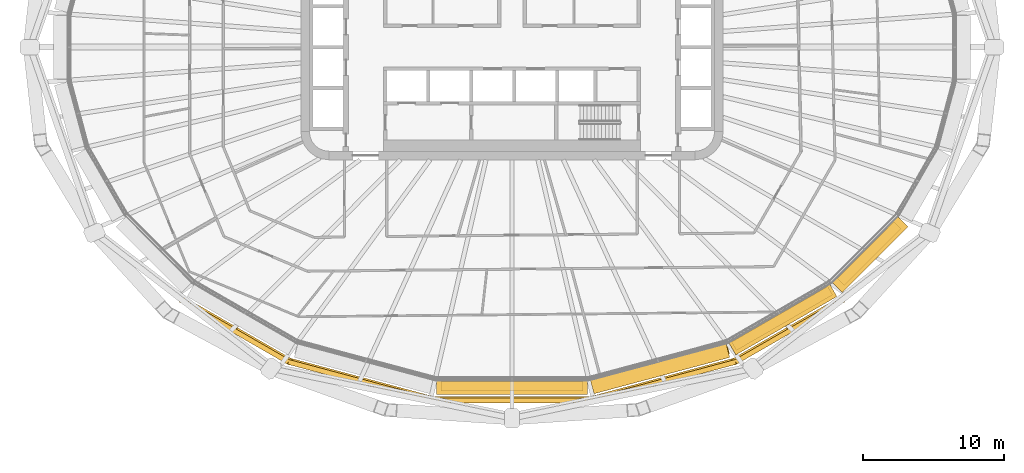
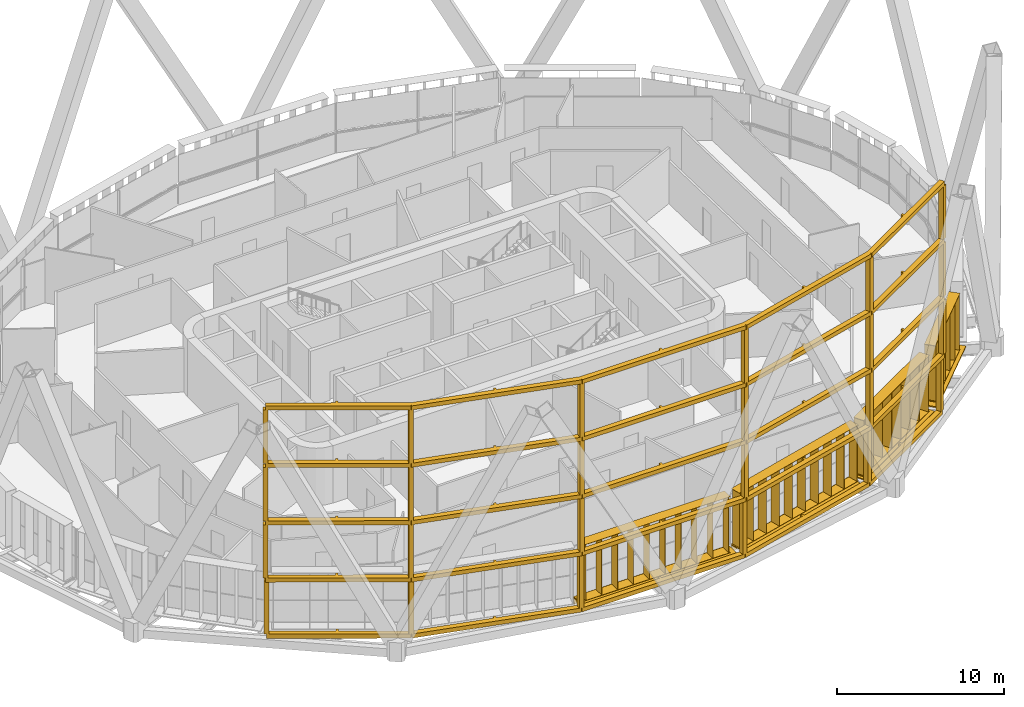
# One storey, part 22 of 25: 9 shading devices.
"""IFC4 building model written with IfcOpenShell, lengths in metres."""

from ifc_helpers import new_model, si_unit, direction, frame, origin, origin_2d, place, context, subcontext, project, spatial, polyline, rectangle, outline, extrude, material, type_object, element, save


model = new_model("IFC4")

# Units and contexts
model_context = context("Model", 3, precision=1e-05, world=origin(), true_north=direction((0.0, 1.0)))
body_context = subcontext(model_context, "Body", "Model", "MODEL_VIEW")
ifc_project = project(units=[si_unit("LENGTHUNIT", "METRE"), si_unit("AREAUNIT", "SQUARE_METRE"), si_unit("VOLUMEUNIT", "CUBIC_METRE"), si_unit("PLANEANGLEUNIT", "RADIAN"), si_unit("MASSUNIT", "GRAM", prefix="KILO")], contexts=[model_context])

# Site, building, storey
site_placement = place(None, origin())
site = spatial("IfcSite", under=ifc_project, at=site_placement, CompositionType="ELEMENT")
building_placement = place(site_placement, origin())
building = spatial("IfcBuilding", under=site, at=building_placement, Name="Sahrelin Media Tower", CompositionType="ELEMENT")
storey_placement = place(building_placement, frame((0.0, 0.0, 79.800048828125)))
storey = spatial("IfcBuildingStorey", under=building, at=storey_placement, Name="L14", CompositionType="ELEMENT", Elevation=79.800048828125)

# Shading devices
ifc_material_1 = material(Name="Dark bronze anodised aluminium 6063-T6", Category="aluminium")
shading_device_type_1 = type_object("IfcShadingDeviceType", Name="Deep frame", PredefinedType="USERDEFINED", material=ifc_material_1)
shading_device_1_placement = place(storey_placement, frame((-22.65869140625, -16.78173828125, 0.0), z_axis=(0.0, 0.0, 1.0), x_axis=(-0.866019052629, 0.500011000363, 0.0)))
element("IfcShadingDevice", 1, at=shading_device_1_placement, inside=storey, type_object=shading_device_type_1, Name="L14:FRAME:F1-6", ObjectType="FRAME", PredefinedType="USERDEFINED", context=body_context, shape_type="SweptSolid", body=[
    extrude(rectangle(XDim=0.300048828125, YDim=0.35009765625, at=origin_2d()), frame((0.0, 1.324951171875, 0.14990234375), z_axis=(0.0, 0.0, 1.0), x_axis=(-1.0, 0.0, 0.0)), (0.0, 0.0, 1.0), 3.900146484375),
    extrude(rectangle(XDim=0.300048828125, YDim=0.35009765625, at=origin_2d()), frame((-8.666748046875, 1.313720703125, 0.14990234375), z_axis=(0.0, 0.0, 1.0), x_axis=(-0.991434606813, -0.130604059715, 0.0)), (0.0, 0.0, 1.0), 3.900146484375),
    extrude(rectangle(XDim=0.300048828125, YDim=0.35009765625, at=origin_2d()), frame((-18.836669921875, -1.411376953125, 0.14990234375), z_axis=(0.0, 0.0, 1.0), x_axis=(-0.923912256654, -0.382604419741, 0.0)), (0.0, 0.0, 1.0), 3.900146484375),
    extrude(rectangle(XDim=0.300048828125, YDim=0.35009765625, at=origin_2d()), frame((-28.605712890625, -7.051513671875, 0.14990234375), z_axis=(0.0, 0.0, 1.0), x_axis=(-0.793362902596, -0.608748966968, 0.0)), (0.0, 0.0, 1.0), 3.900146484375),
    extrude(rectangle(XDim=0.300048828125, YDim=0.35009765625, at=origin_2d()), frame((-36.050537109375, -14.49609375, 0.14990234375), z_axis=(0.0, 0.0, 1.0), x_axis=(-0.608700502051, -0.793400087474, 0.0)), (0.0, 0.0, 1.0), 3.900146484375),
    extrude(rectangle(XDim=0.300048828125, YDim=0.35009765625, at=origin_2d()), frame((-40.393798828125, -21.99609375, 0.14990234375), z_axis=(0.0, 0.0, 1.0), x_axis=(-0.500010580459, -0.866019295067, 0.0)), (0.0, 0.0, 1.0), 3.900146484375),
    extrude(outline(polyline([(-28.693115234375, -6.89990234375), (-28.605712890625, -7.051513671875), (-28.7294921875, -6.927490234375), (-36.17431640625, -14.37255859375), (-36.050537109375, -14.49609375), (-36.201904296875, -14.408447265625), (-40.545166015625, -21.908447265625), (-40.2421875, -22.083984375), (-38.151611328125, -18.473388671875), (-38.000244140625, -18.560791015625), (-37.92529296875, -18.430908203125), (-38.076416015625, -18.343505859375), (-35.910400390625, -14.603759765625), (-32.25732421875, -10.95068359375), (-32.13818359375, -11.06982421875), (-32.031982421875, -10.9638671875), (-32.1513671875, -10.844482421875), (-28.498291015625, -7.19140625), (-23.698486328125, -4.42041015625), (-23.6142578125, -4.56640625), (-23.484375, -4.491455078125), (-23.568603515625, -4.345458984375), (-18.76904296875, -1.57421875), (-13.77880859375, -0.2373046875), (-13.735107421875, -0.400146484375), (-13.59033203125, -0.361328125), (-13.634033203125, -0.198486328125), (-8.6435546875, 1.138671875), (-4.322021484375, 1.144287109375), (-4.322021484375, 0.969970703125), (-4.171875, 0.969970703125), (-4.171875, 1.14453125), (0.000244140625, 1.14990234375), (-0.000244140625, 1.5), (-8.6669921875, 1.48876953125), (-8.666748046875, 1.313720703125), (-8.712158203125, 1.482666015625), (-18.8818359375, -1.2421875), (-18.836669921875, -1.411376953125), (-18.924072265625, -1.259765625), (-28.693115234375, -6.89990234375)])), frame((0.0, 0.0, -0.14990234375)), (0.0, 0.0, 1.0), 0.2998046875),
    extrude(rectangle(XDim=0.300048828125, YDim=0.35009765625, at=origin_2d()), frame((0.0537109375, 1.457275390625, 4.35009765625), z_axis=(0.0, 0.0, 1.0), x_axis=(-1.0, 0.0, 0.0)), (0.0, 0.0, 1.0), 3.89990234375),
    extrude(rectangle(XDim=0.300048828125, YDim=0.35009765625, at=origin_2d()), frame((-8.656005859375, 1.446044921875, 4.35009765625), z_axis=(0.0, 0.0, 1.0), x_axis=(-0.991447594891, -0.130505427419, 0.0)), (0.0, 0.0, 1.0), 3.89990234375),
    extrude(rectangle(XDim=0.300048828125, YDim=0.35009765625, at=origin_2d()), frame((-18.87451171875, -1.2919921875, 4.35009765625), z_axis=(0.0, 0.0, 1.0), x_axis=(-0.923876860854, -0.382689882252, 0.0)), (0.0, 0.0, 1.0), 3.89990234375),
    extrude(rectangle(XDim=0.300048828125, YDim=0.35009765625, at=origin_2d()), frame((-28.68994140625, -6.958984375, 4.35009765625), z_axis=(0.0, 0.0, 1.0), x_axis=(-0.793362902596, -0.608748966968, 0.0)), (0.0, 0.0, 1.0), 3.89990234375),
    extrude(rectangle(XDim=0.300048828125, YDim=0.35009765625, at=origin_2d()), frame((-36.17041015625, -14.439453125, 4.35009765625), z_axis=(0.0, 0.0, 1.0), x_axis=(-0.608748966968, -0.793362902596, 0.0)), (0.0, 0.0, 1.0), 3.89990234375),
    extrude(rectangle(XDim=0.300048828125, YDim=0.35009765625, at=origin_2d()), frame((-40.53515625, -21.9765625, 4.35009765625), z_axis=(0.0, 0.0, 1.0), x_axis=(-0.499968258175, -0.86604372916, 0.0)), (0.0, 0.0, 1.0), 3.89990234375),
    extrude(outline(polyline([(-28.777587890625, -6.807373046875), (-28.68994140625, -6.958984375), (-28.813720703125, -6.835205078125), (-36.294189453125, -14.315673828125), (-36.17041015625, -14.439453125), (-36.322021484375, -14.351806640625), (-40.6865234375, -21.888916015625), (-40.3837890625, -22.064208984375), (-38.2822265625, -18.435302734375), (-38.131103515625, -18.5224609375), (-38.055908203125, -18.392578125), (-38.20703125, -18.305419921875), (-36.030517578125, -14.546875), (-32.359619140625, -10.8759765625), (-32.240234375, -10.9951171875), (-32.13427734375, -10.88916015625), (-32.25341796875, -10.77001953125), (-28.58251953125, -7.09912109375), (-23.759765625, -4.314697265625), (-23.67529296875, -4.460693359375), (-23.54541015625, -4.385498046875), (-23.6298828125, -4.239501953125), (-18.806884765625, -1.455078125), (-13.79248046875, -0.111572265625), (-13.748779296875, -0.2744140625), (-13.60400390625, -0.235595703125), (-13.6474609375, -0.07275390625), (-8.6328125, 1.27099609375), (-4.289794921875, 1.276611328125), (-4.289794921875, 1.102294921875), (-4.1396484375, 1.102294921875), (-4.1396484375, 1.27685546875), (0.053955078125, 1.2822265625), (0.053466796875, 1.63232421875), (-8.65625, 1.62109375), (-8.656005859375, 1.446044921875), (-8.701416015625, 1.614990234375), (-18.919921875, -1.123046875), (-18.87451171875, -1.2919921875), (-18.9619140625, -1.140380859375), (-28.777587890625, -6.807373046875)])), frame((0.0, 0.0, 4.050048828125)), (0.0, 0.0, 1.0), 0.300048828125),
    extrude(rectangle(XDim=0.300048828125, YDim=0.35009765625, at=origin_2d()), frame((0.0537109375, 1.457275390625, 8.550048828125), z_axis=(0.0, 0.0, 1.0), x_axis=(-1.0, 0.0, 0.0)), (0.0, 0.0, 1.0), 3.89990234375),
    extrude(rectangle(XDim=0.300048828125, YDim=0.35009765625, at=origin_2d()), frame((-8.656005859375, 1.446044921875, 8.550048828125), z_axis=(0.0, 0.0, 1.0), x_axis=(-0.991447594891, -0.130505427419, 0.0)), (0.0, 0.0, 1.0), 3.89990234375),
    extrude(rectangle(XDim=0.300048828125, YDim=0.35009765625, at=origin_2d()), frame((-18.87451171875, -1.2919921875, 8.550048828125), z_axis=(0.0, 0.0, 1.0), x_axis=(-0.923876860854, -0.382689882252, 0.0)), (0.0, 0.0, 1.0), 3.89990234375),
    extrude(rectangle(XDim=0.300048828125, YDim=0.35009765625, at=origin_2d()), frame((-28.68994140625, -6.958984375, 8.550048828125), z_axis=(0.0, 0.0, 1.0), x_axis=(-0.793362902596, -0.608748966968, 0.0)), (0.0, 0.0, 1.0), 3.89990234375),
    extrude(rectangle(XDim=0.300048828125, YDim=0.35009765625, at=origin_2d()), frame((-36.17041015625, -14.439453125, 8.550048828125), z_axis=(0.0, 0.0, 1.0), x_axis=(-0.608748966968, -0.793362902596, 0.0)), (0.0, 0.0, 1.0), 3.89990234375),
    extrude(rectangle(XDim=0.300048828125, YDim=0.35009765625, at=origin_2d()), frame((-40.53515625, -21.9765625, 8.550048828125), z_axis=(0.0, 0.0, 1.0), x_axis=(-0.499968258175, -0.86604372916, 0.0)), (0.0, 0.0, 1.0), 3.89990234375),
    extrude(outline(polyline([(-28.777587890625, -6.807373046875), (-28.68994140625, -6.958984375), (-28.813720703125, -6.835205078125), (-36.294189453125, -14.315673828125), (-36.17041015625, -14.439453125), (-36.322021484375, -14.351806640625), (-40.6865234375, -21.888916015625), (-40.3837890625, -22.064208984375), (-38.2822265625, -18.435302734375), (-38.131103515625, -18.5224609375), (-38.055908203125, -18.392578125), (-38.20703125, -18.305419921875), (-36.030517578125, -14.546875), (-32.359619140625, -10.8759765625), (-32.240234375, -10.9951171875), (-32.13427734375, -10.88916015625), (-32.25341796875, -10.77001953125), (-28.58251953125, -7.09912109375), (-23.759765625, -4.314697265625), (-23.67529296875, -4.460693359375), (-23.54541015625, -4.385498046875), (-23.6298828125, -4.239501953125), (-18.806884765625, -1.455078125), (-13.79248046875, -0.111572265625), (-13.748779296875, -0.2744140625), (-13.60400390625, -0.235595703125), (-13.6474609375, -0.07275390625), (-8.6328125, 1.27099609375), (-4.289794921875, 1.276611328125), (-4.289794921875, 1.102294921875), (-4.1396484375, 1.102294921875), (-4.1396484375, 1.27685546875), (0.053955078125, 1.2822265625), (0.053466796875, 1.63232421875), (-8.65625, 1.62109375), (-8.656005859375, 1.446044921875), (-8.701416015625, 1.614990234375), (-18.919921875, -1.123046875), (-18.87451171875, -1.2919921875), (-18.9619140625, -1.140380859375), (-28.777587890625, -6.807373046875)])), frame((0.0, 0.0, 8.25)), (0.0, 0.0, 1.0), 0.300048828125),
    extrude(rectangle(XDim=0.300048828125, YDim=0.35009765625, at=origin_2d()), frame((0.0537109375, 1.457275390625, 12.75), z_axis=(0.0, 0.0, 1.0), x_axis=(-1.0, 0.0, 0.0)), (0.0, 0.0, 1.0), 3.89990234375),
    extrude(rectangle(XDim=0.300048828125, YDim=0.35009765625, at=origin_2d()), frame((-8.656005859375, 1.446044921875, 12.75), z_axis=(0.0, 0.0, 1.0), x_axis=(-0.991447594891, -0.130505427419, 0.0)), (0.0, 0.0, 1.0), 3.89990234375),
    extrude(rectangle(XDim=0.300048828125, YDim=0.35009765625, at=origin_2d()), frame((-18.87451171875, -1.2919921875, 12.75), z_axis=(0.0, 0.0, 1.0), x_axis=(-0.923876860854, -0.382689882252, 0.0)), (0.0, 0.0, 1.0), 3.89990234375),
    extrude(rectangle(XDim=0.300048828125, YDim=0.35009765625, at=origin_2d()), frame((-28.68994140625, -6.958984375, 12.75), z_axis=(0.0, 0.0, 1.0), x_axis=(-0.793362902596, -0.608748966968, 0.0)), (0.0, 0.0, 1.0), 3.89990234375),
    extrude(rectangle(XDim=0.300048828125, YDim=0.35009765625, at=origin_2d()), frame((-36.17041015625, -14.439453125, 12.75), z_axis=(0.0, 0.0, 1.0), x_axis=(-0.608748966968, -0.793362902596, 0.0)), (0.0, 0.0, 1.0), 3.89990234375),
    extrude(rectangle(XDim=0.300048828125, YDim=0.35009765625, at=origin_2d()), frame((-40.53515625, -21.9765625, 12.75), z_axis=(0.0, 0.0, 1.0), x_axis=(-0.499968258175, -0.86604372916, 0.0)), (0.0, 0.0, 1.0), 3.89990234375),
    extrude(outline(polyline([(-28.777587890625, -6.807373046875), (-28.68994140625, -6.958984375), (-28.813720703125, -6.835205078125), (-36.294189453125, -14.315673828125), (-36.17041015625, -14.439453125), (-36.322021484375, -14.351806640625), (-40.6865234375, -21.888916015625), (-40.3837890625, -22.064208984375), (-38.2822265625, -18.435302734375), (-38.131103515625, -18.5224609375), (-38.055908203125, -18.392578125), (-38.20703125, -18.305419921875), (-36.030517578125, -14.546875), (-32.359619140625, -10.8759765625), (-32.240234375, -10.9951171875), (-32.13427734375, -10.88916015625), (-32.25341796875, -10.77001953125), (-28.58251953125, -7.09912109375), (-23.759765625, -4.314697265625), (-23.67529296875, -4.460693359375), (-23.54541015625, -4.385498046875), (-23.6298828125, -4.239501953125), (-18.806884765625, -1.455078125), (-13.79248046875, -0.111572265625), (-13.748779296875, -0.2744140625), (-13.60400390625, -0.235595703125), (-13.6474609375, -0.07275390625), (-8.6328125, 1.27099609375), (-4.289794921875, 1.276611328125), (-4.289794921875, 1.102294921875), (-4.1396484375, 1.102294921875), (-4.1396484375, 1.27685546875), (0.053955078125, 1.2822265625), (0.053466796875, 1.63232421875), (-8.65625, 1.62109375), (-8.656005859375, 1.446044921875), (-8.701416015625, 1.614990234375), (-18.919921875, -1.123046875), (-18.87451171875, -1.2919921875), (-18.9619140625, -1.140380859375), (-28.777587890625, -6.807373046875)])), frame((0.0, 0.0, 12.449951171875)), (0.0, 0.0, 1.0), 0.300048828125),
    extrude(outline(polyline([(-28.777587890625, -6.807373046875), (-28.68994140625, -6.958984375), (-28.813720703125, -6.835205078125), (-36.294189453125, -14.315673828125), (-36.17041015625, -14.439453125), (-36.322021484375, -14.351806640625), (-40.6865234375, -21.888916015625), (-40.3837890625, -22.064208984375), (-38.2822265625, -18.435302734375), (-38.131103515625, -18.5224609375), (-38.055908203125, -18.392578125), (-38.20703125, -18.305419921875), (-36.030517578125, -14.546875), (-32.359619140625, -10.8759765625), (-32.240234375, -10.9951171875), (-32.13427734375, -10.88916015625), (-32.25341796875, -10.77001953125), (-28.58251953125, -7.09912109375), (-23.759765625, -4.314697265625), (-23.67529296875, -4.460693359375), (-23.54541015625, -4.385498046875), (-23.6298828125, -4.239501953125), (-18.806884765625, -1.455078125), (-13.79248046875, -0.111572265625), (-13.748779296875, -0.2744140625), (-13.60400390625, -0.235595703125), (-13.6474609375, -0.07275390625), (-8.6328125, 1.27099609375), (-4.289794921875, 1.276611328125), (-4.289794921875, 1.102294921875), (-4.1396484375, 1.102294921875), (-4.1396484375, 1.27685546875), (0.053955078125, 1.2822265625), (0.053466796875, 1.63232421875), (-8.65625, 1.62109375), (-8.656005859375, 1.446044921875), (-8.701416015625, 1.614990234375), (-18.919921875, -1.123046875), (-18.87451171875, -1.2919921875), (-18.9619140625, -1.140380859375), (-28.777587890625, -6.807373046875)])), frame((0.0, 0.0, 16.64990234375)), (0.0, 0.0, 1.0), 0.300048828125),
])
ifc_material_2 = material(Name="Champagne anodised aluminium 6063-T6", Category="aluminium")
shading_device_type_2 = type_object("IfcShadingDeviceType", Name="Fin cassette", PredefinedType="USERDEFINED", material=ifc_material_2)
placement_1 = place(storey_placement, frame((0.0, -23.6640625, 0.0), z_axis=(0.0, 0.0, 1.0), x_axis=(-1.0, 0.0, 0.0)))
element("IfcShadingDevice", 2, at=placement_1, inside=storey, type_object=shading_device_type_2, Name="L14:FIN:L14-18", ObjectType="FIN", PredefinedType="USERDEFINED", context=body_context, shape_type="SweptSolid", body=[
    extrude(rectangle(XDim=10.10009765625, YDim=0.699951171875, at=origin_2d()), frame((0.0, 0.419921875, 0.0)), (0.0, 0.0, 1.0), 0.02001953125),
    extrude(rectangle(XDim=10.10009765625, YDim=0.699951171875, at=origin_2d()), frame((0.0, 0.419921875, 4.10009765625)), (0.0, 0.0, 1.0), 0.02001953125),
    extrude(rectangle(XDim=0.02001953125, YDim=0.699951171875, at=origin_2d()), frame((-4.949951171875, 0.419921875, 0.010009765625), z_axis=(0.0, 0.0, 1.0), x_axis=(1.0, 0.0, 0.0)), (0.0, 0.0, 1.0), 4.10009765625),
    extrude(rectangle(XDim=0.02001953125, YDim=0.699951171875, at=origin_2d()), frame((-3.85009765625, 0.419921875, 0.010009765625), z_axis=(0.0, 0.0, 1.0), x_axis=(1.0, 0.0, 0.0)), (0.0, 0.0, 1.0), 4.10009765625),
    extrude(rectangle(XDim=0.02001953125, YDim=0.699951171875, at=origin_2d()), frame((-2.75, 0.419921875, 0.010009765625), z_axis=(0.0, 0.0, 1.0), x_axis=(1.0, 0.0, 0.0)), (0.0, 0.0, 1.0), 4.10009765625),
    extrude(rectangle(XDim=0.02001953125, YDim=0.699951171875, at=origin_2d()), frame((-1.64990234375, 0.419921875, 0.010009765625), z_axis=(0.0, 0.0, 1.0), x_axis=(1.0, 0.0, 0.0)), (0.0, 0.0, 1.0), 4.10009765625),
    extrude(rectangle(XDim=0.02001953125, YDim=0.699951171875, at=origin_2d()), frame((-0.550048828125, 0.419921875, 0.010009765625), z_axis=(0.0, 0.0, 1.0), x_axis=(1.0, 0.0, 0.0)), (0.0, 0.0, 1.0), 4.10009765625),
    extrude(rectangle(XDim=0.02001953125, YDim=0.699951171875, at=origin_2d()), frame((0.550048828125, 0.419921875, 0.010009765625), z_axis=(0.0, 0.0, 1.0), x_axis=(1.0, 0.0, 0.0)), (0.0, 0.0, 1.0), 4.10009765625),
    extrude(rectangle(XDim=0.02001953125, YDim=0.699951171875, at=origin_2d()), frame((1.64990234375, 0.419921875, 0.010009765625), z_axis=(0.0, 0.0, 1.0), x_axis=(1.0, 0.0, 0.0)), (0.0, 0.0, 1.0), 4.10009765625),
    extrude(rectangle(XDim=0.02001953125, YDim=0.699951171875, at=origin_2d()), frame((2.75, 0.419921875, 0.010009765625), z_axis=(0.0, 0.0, 1.0), x_axis=(1.0, 0.0, 0.0)), (0.0, 0.0, 1.0), 4.10009765625),
    extrude(rectangle(XDim=0.02001953125, YDim=0.699951171875, at=origin_2d()), frame((3.85009765625, 0.419921875, 0.010009765625), z_axis=(0.0, 0.0, 1.0), x_axis=(1.0, 0.0, 0.0)), (0.0, 0.0, 1.0), 4.10009765625),
    extrude(rectangle(XDim=0.02001953125, YDim=0.699951171875, at=origin_2d()), frame((4.949951171875, 0.419921875, 0.010009765625), z_axis=(0.0, 0.0, 1.0), x_axis=(1.0, 0.0, 0.0)), (0.0, 0.0, 1.0), 4.10009765625),
])
placement_2 = place(storey_placement, frame((10.385009765625, -22.346435546875, 0.0), z_axis=(0.0, 0.0, 1.0), x_axis=(-0.965928857556, -0.258807731996, 0.0)))
element("IfcShadingDevice", 3, at=placement_2, inside=storey, type_object=shading_device_type_2, Name="L14:FIN:L14-19", ObjectType="FIN", PredefinedType="USERDEFINED", context=body_context, shape_type="SweptSolid", body=[
    extrude(rectangle(XDim=10.10009765625, YDim=0.699951171875, at=origin_2d()), frame((0.0, 0.419921875, 0.0)), (0.0, 0.0, 1.0), 0.02001953125),
    extrude(rectangle(XDim=10.10009765625, YDim=0.699951171875, at=origin_2d()), frame((0.0, 0.419921875, 4.10009765625)), (0.0, 0.0, 1.0), 0.02001953125),
    extrude(rectangle(XDim=0.02001953125, YDim=0.699951171875, at=origin_2d()), frame((-4.949951171875, 0.419921875, 0.010009765625), z_axis=(0.0, 0.0, 1.0), x_axis=(1.0, 0.0, 0.0)), (0.0, 0.0, 1.0), 4.10009765625),
    extrude(rectangle(XDim=0.02001953125, YDim=0.699951171875, at=origin_2d()), frame((-3.85009765625, 0.419921875, 0.010009765625), z_axis=(0.0, 0.0, 1.0), x_axis=(1.0, 0.0, 0.0)), (0.0, 0.0, 1.0), 4.10009765625),
    extrude(rectangle(XDim=0.02001953125, YDim=0.699951171875, at=origin_2d()), frame((-2.75, 0.419921875, 0.010009765625), z_axis=(0.0, 0.0, 1.0), x_axis=(1.0, 0.0, 0.0)), (0.0, 0.0, 1.0), 4.10009765625),
    extrude(rectangle(XDim=0.02001953125, YDim=0.699951171875, at=origin_2d()), frame((-1.64990234375, 0.419921875, 0.010009765625), z_axis=(0.0, 0.0, 1.0), x_axis=(1.0, 0.0, 0.0)), (0.0, 0.0, 1.0), 4.10009765625),
    extrude(rectangle(XDim=0.02001953125, YDim=0.699951171875, at=origin_2d()), frame((-0.550048828125, 0.419921875, 0.010009765625), z_axis=(0.0, 0.0, 1.0), x_axis=(1.0, 0.0, 0.0)), (0.0, 0.0, 1.0), 4.10009765625),
    extrude(rectangle(XDim=0.02001953125, YDim=0.699951171875, at=origin_2d()), frame((0.550048828125, 0.419921875, 0.010009765625), z_axis=(0.0, 0.0, 1.0), x_axis=(1.0, 0.0, 0.0)), (0.0, 0.0, 1.0), 4.10009765625),
    extrude(rectangle(XDim=0.02001953125, YDim=0.699951171875, at=origin_2d()), frame((1.64990234375, 0.419921875, 0.010009765625), z_axis=(0.0, 0.0, 1.0), x_axis=(1.0, 0.0, 0.0)), (0.0, 0.0, 1.0), 4.10009765625),
    extrude(rectangle(XDim=0.02001953125, YDim=0.699951171875, at=origin_2d()), frame((2.75, 0.419921875, 0.010009765625), z_axis=(0.0, 0.0, 1.0), x_axis=(1.0, 0.0, 0.0)), (0.0, 0.0, 1.0), 4.10009765625),
    extrude(rectangle(XDim=0.02001953125, YDim=0.699951171875, at=origin_2d()), frame((3.85009765625, 0.419921875, 0.010009765625), z_axis=(0.0, 0.0, 1.0), x_axis=(1.0, 0.0, 0.0)), (0.0, 0.0, 1.0), 4.10009765625),
    extrude(rectangle(XDim=0.02001953125, YDim=0.699951171875, at=origin_2d()), frame((4.949951171875, 0.419921875, 0.010009765625), z_axis=(0.0, 0.0, 1.0), x_axis=(1.0, 0.0, 0.0)), (0.0, 0.0, 1.0), 4.10009765625),
])
placement_3 = place(storey_placement, frame((18.98095703125, -18.9052734375, 0.0), z_axis=(0.0, 0.0, 1.0), x_axis=(-0.866019052629, -0.500011000363, 0.0)))
element("IfcShadingDevice", 4, at=placement_3, inside=storey, type_object=shading_device_type_2, Name="L14:FIN:L14-20", ObjectType="FIN", PredefinedType="USERDEFINED", context=body_context, shape_type="SweptSolid", body=[
    extrude(rectangle(XDim=7.89990234375, YDim=0.699951171875, at=origin_2d()), frame((0.0, 0.419921875, 0.0)), (0.0, 0.0, 1.0), 0.02001953125),
    extrude(rectangle(XDim=7.89990234375, YDim=0.699951171875, at=origin_2d()), frame((0.0, 0.419921875, 4.10009765625)), (0.0, 0.0, 1.0), 0.02001953125),
    extrude(rectangle(XDim=0.02001953125, YDim=0.699951171875, at=origin_2d()), frame((-3.85009765625, 0.419921875, 0.010009765625), z_axis=(0.0, 0.0, 1.0), x_axis=(1.0, 0.0, 0.0)), (0.0, 0.0, 1.0), 4.10009765625),
    extrude(rectangle(XDim=0.02001953125, YDim=0.699951171875, at=origin_2d()), frame((-2.75, 0.419921875, 0.010009765625), z_axis=(0.0, 0.0, 1.0), x_axis=(1.0, 0.0, 0.0)), (0.0, 0.0, 1.0), 4.10009765625),
    extrude(rectangle(XDim=0.02001953125, YDim=0.699951171875, at=origin_2d()), frame((-1.64990234375, 0.419921875, 0.010009765625), z_axis=(0.0, 0.0, 1.0), x_axis=(1.0, 0.0, 0.0)), (0.0, 0.0, 1.0), 4.10009765625),
    extrude(rectangle(XDim=0.02001953125, YDim=0.699951171875, at=origin_2d()), frame((-0.550048828125, 0.419921875, 0.010009765625), z_axis=(0.0, 0.0, 1.0), x_axis=(1.0, 0.0, 0.0)), (0.0, 0.0, 1.0), 4.10009765625),
    extrude(rectangle(XDim=0.02001953125, YDim=0.699951171875, at=origin_2d()), frame((0.550048828125, 0.419921875, 0.010009765625), z_axis=(0.0, 0.0, 1.0), x_axis=(1.0, 0.0, 0.0)), (0.0, 0.0, 1.0), 4.10009765625),
    extrude(rectangle(XDim=0.02001953125, YDim=0.699951171875, at=origin_2d()), frame((1.64990234375, 0.419921875, 0.010009765625), z_axis=(0.0, 0.0, 1.0), x_axis=(1.0, 0.0, 0.0)), (0.0, 0.0, 1.0), 4.10009765625),
    extrude(rectangle(XDim=0.02001953125, YDim=0.699951171875, at=origin_2d()), frame((2.75, 0.419921875, 0.010009765625), z_axis=(0.0, 0.0, 1.0), x_axis=(1.0, 0.0, 0.0)), (0.0, 0.0, 1.0), 4.10009765625),
    extrude(rectangle(XDim=0.02001953125, YDim=0.699951171875, at=origin_2d()), frame((3.85009765625, 0.419921875, 0.010009765625), z_axis=(0.0, 0.0, 1.0), x_axis=(1.0, 0.0, 0.0)), (0.0, 0.0, 1.0), 4.10009765625),
])
placement_4 = place(storey_placement, frame((25.067138671875, -14.373291015625, 0.0), z_axis=(0.0, 0.0, 1.0), x_axis=(-0.707106781187, -0.707106781187, 0.0)))
element("IfcShadingDevice", 5, at=placement_4, inside=storey, type_object=shading_device_type_2, Name="L14:FIN:L14-21", ObjectType="FIN", PredefinedType="USERDEFINED", context=body_context, shape_type="SweptSolid", body=[
    extrude(rectangle(XDim=5.699951171875, YDim=0.699951171875, at=origin_2d()), frame((0.0, 0.419921875, 0.0)), (0.0, 0.0, 1.0), 0.02001953125),
    extrude(rectangle(XDim=5.699951171875, YDim=0.699951171875, at=origin_2d()), frame((0.0, 0.419921875, 4.10009765625)), (0.0, 0.0, 1.0), 0.02001953125),
    extrude(rectangle(XDim=0.02001953125, YDim=0.699951171875, at=origin_2d()), frame((-2.75, 0.419921875, 0.010009765625), z_axis=(0.0, 0.0, 1.0), x_axis=(1.0, 0.0, 0.0)), (0.0, 0.0, 1.0), 4.10009765625),
    extrude(rectangle(XDim=0.02001953125, YDim=0.699951171875, at=origin_2d()), frame((-1.64990234375, 0.419921875, 0.010009765625), z_axis=(0.0, 0.0, 1.0), x_axis=(1.0, 0.0, 0.0)), (0.0, 0.0, 1.0), 4.10009765625),
    extrude(rectangle(XDim=0.02001953125, YDim=0.699951171875, at=origin_2d()), frame((-0.550048828125, 0.419921875, 0.010009765625), z_axis=(0.0, 0.0, 1.0), x_axis=(1.0, 0.0, 0.0)), (0.0, 0.0, 1.0), 4.10009765625),
    extrude(rectangle(XDim=0.02001953125, YDim=0.699951171875, at=origin_2d()), frame((0.550048828125, 0.419921875, 0.010009765625), z_axis=(0.0, 0.0, 1.0), x_axis=(1.0, 0.0, 0.0)), (0.0, 0.0, 1.0), 4.10009765625),
    extrude(rectangle(XDim=0.02001953125, YDim=0.699951171875, at=origin_2d()), frame((1.64990234375, 0.419921875, 0.010009765625), z_axis=(0.0, 0.0, 1.0), x_axis=(1.0, 0.0, 0.0)), (0.0, 0.0, 1.0), 4.10009765625),
    extrude(rectangle(XDim=0.02001953125, YDim=0.699951171875, at=origin_2d()), frame((2.75, 0.419921875, 0.010009765625), z_axis=(0.0, 0.0, 1.0), x_axis=(1.0, 0.0, 0.0)), (0.0, 0.0, 1.0), 4.10009765625),
])
shading_device_type_3 = type_object("IfcShadingDeviceType", Name="Sunshade band", PredefinedType="USERDEFINED", material=ifc_material_2)
element("IfcShadingDevice", 6, at=placement_1, inside=storey, type_object=shading_device_type_3, Name="L14:SUN:L14-18", ObjectType="SUNSHADE", PredefinedType="USERDEFINED", context=body_context, shape_type="SweptSolid", body=[
    extrude(rectangle(XDim=10.734375, YDim=0.050048828125, at=origin_2d()), frame((0.0, 0.044921875, -0.55126953125)), (0.0, 0.0, 1.0), 0.471435546875),
    extrude(rectangle(XDim=10.734375, YDim=1.0, at=origin_2d()), frame((0.0, 0.52001953125, -0.080078125)), (0.0, 0.0, 1.0), 0.080078125),
    extrude(rectangle(XDim=0.10009765625, YDim=0.074951171875, at=origin_2d()), frame((-5.26708984375, -0.017578125, -0.47021484375)), (0.0, 0.0, 1.0), 0.300048828125),
    extrude(rectangle(XDim=0.10009765625, YDim=0.074951171875, at=origin_2d()), frame((-3.511474609375, -0.017578125, -0.47021484375)), (0.0, 0.0, 1.0), 0.300048828125),
    extrude(rectangle(XDim=0.10009765625, YDim=0.074951171875, at=origin_2d()), frame((-1.755615234375, -0.017578125, -0.47021484375)), (0.0, 0.0, 1.0), 0.300048828125),
    extrude(rectangle(XDim=0.10009765625, YDim=0.074951171875, at=origin_2d()), frame((0.0, -0.017578125, -0.47021484375)), (0.0, 0.0, 1.0), 0.300048828125),
    extrude(rectangle(XDim=0.10009765625, YDim=0.074951171875, at=origin_2d()), frame((1.755615234375, -0.017578125, -0.47021484375)), (0.0, 0.0, 1.0), 0.300048828125),
    extrude(rectangle(XDim=0.10009765625, YDim=0.074951171875, at=origin_2d()), frame((3.511474609375, -0.017578125, -0.47021484375)), (0.0, 0.0, 1.0), 0.300048828125),
    extrude(rectangle(XDim=0.10009765625, YDim=0.074951171875, at=origin_2d()), frame((5.26708984375, -0.017578125, -0.47021484375)), (0.0, 0.0, 1.0), 0.300048828125),
])
element("IfcShadingDevice", 7, at=placement_2, inside=storey, type_object=shading_device_type_3, Name="L14:SUN:L14-19", ObjectType="SUNSHADE", PredefinedType="USERDEFINED", context=body_context, shape_type="SweptSolid", body=[
    extrude(rectangle(XDim=9.982666015625, YDim=0.050048828125, at=origin_2d()), frame((0.0, 0.044921875, -0.55126953125)), (0.0, 0.0, 1.0), 0.471435546875),
    extrude(rectangle(XDim=9.982666015625, YDim=1.0, at=origin_2d()), frame((0.0, 0.52001953125, -0.080078125)), (0.0, 0.0, 1.0), 0.080078125),
    extrude(rectangle(XDim=0.10009765625, YDim=0.074951171875, at=origin_2d()), frame((-4.891357421875, -0.017578125, -0.47021484375)), (0.0, 0.0, 1.0), 0.300048828125),
    extrude(rectangle(XDim=0.10009765625, YDim=0.074951171875, at=origin_2d()), frame((-2.934814453125, -0.017578125, -0.47021484375)), (0.0, 0.0, 1.0), 0.300048828125),
    extrude(rectangle(XDim=0.10009765625, YDim=0.074951171875, at=origin_2d()), frame((-0.978271484375, -0.017578125, -0.47021484375)), (0.0, 0.0, 1.0), 0.300048828125),
    extrude(rectangle(XDim=0.10009765625, YDim=0.074951171875, at=origin_2d()), frame((0.978271484375, -0.017578125, -0.47021484375)), (0.0, 0.0, 1.0), 0.300048828125),
    extrude(rectangle(XDim=0.10009765625, YDim=0.074951171875, at=origin_2d()), frame((2.934814453125, -0.017578125, -0.47021484375)), (0.0, 0.0, 1.0), 0.300048828125),
    extrude(rectangle(XDim=0.10009765625, YDim=0.074951171875, at=origin_2d()), frame((4.891357421875, -0.017578125, -0.47021484375)), (0.0, 0.0, 1.0), 0.300048828125),
])
element("IfcShadingDevice", 8, at=placement_3, inside=storey, type_object=shading_device_type_3, Name="L14:SUN:L14-20", ObjectType="SUNSHADE", PredefinedType="USERDEFINED", context=body_context, shape_type="SweptSolid", body=[
    extrude(rectangle(XDim=8.293701171875, YDim=0.050048828125, at=origin_2d()), frame((0.0, 0.044921875, -0.55126953125)), (0.0, 0.0, 1.0), 0.471435546875),
    extrude(rectangle(XDim=8.293701171875, YDim=1.0, at=origin_2d()), frame((0.0, 0.52001953125, -0.080078125)), (0.0, 0.0, 1.0), 0.080078125),
    extrude(rectangle(XDim=0.10009765625, YDim=0.074951171875, at=origin_2d()), frame((-4.046875, -0.017578125, -0.47021484375)), (0.0, 0.0, 1.0), 0.300048828125),
    extrude(rectangle(XDim=0.10009765625, YDim=0.074951171875, at=origin_2d()), frame((-2.42822265625, -0.017578125, -0.47021484375)), (0.0, 0.0, 1.0), 0.300048828125),
    extrude(rectangle(XDim=0.10009765625, YDim=0.074951171875, at=origin_2d()), frame((-0.809326171875, -0.017578125, -0.47021484375)), (0.0, 0.0, 1.0), 0.300048828125),
    extrude(rectangle(XDim=0.10009765625, YDim=0.074951171875, at=origin_2d()), frame((0.809326171875, -0.017578125, -0.47021484375)), (0.0, 0.0, 1.0), 0.300048828125),
    extrude(rectangle(XDim=0.10009765625, YDim=0.074951171875, at=origin_2d()), frame((2.42822265625, -0.017578125, -0.47021484375)), (0.0, 0.0, 1.0), 0.300048828125),
    extrude(rectangle(XDim=0.10009765625, YDim=0.074951171875, at=origin_2d()), frame((4.046875, -0.017578125, -0.47021484375)), (0.0, 0.0, 1.0), 0.300048828125),
])
element("IfcShadingDevice", 9, at=placement_4, inside=storey, type_object=shading_device_type_3, Name="L14:SUN:L14-21", ObjectType="SUNSHADE", PredefinedType="USERDEFINED", context=body_context, shape_type="SweptSolid", body=[
    extrude(rectangle(XDim=6.612060546875, YDim=0.050048828125, at=origin_2d()), frame((0.0, 0.044921875, -0.55126953125)), (0.0, 0.0, 1.0), 0.471435546875),
    extrude(rectangle(XDim=6.612060546875, YDim=1.0, at=origin_2d()), frame((0.0, 0.52001953125, -0.080078125)), (0.0, 0.0, 1.0), 0.080078125),
    extrude(rectangle(XDim=0.10009765625, YDim=0.074951171875, at=origin_2d()), frame((-3.2060546875, -0.017578125, -0.47021484375)), (0.0, 0.0, 1.0), 0.300048828125),
    extrude(rectangle(XDim=0.10009765625, YDim=0.074951171875, at=origin_2d()), frame((-1.60302734375, -0.017578125, -0.47021484375)), (0.0, 0.0, 1.0), 0.300048828125),
    extrude(rectangle(XDim=0.10009765625, YDim=0.074951171875, at=origin_2d()), frame((0.0, -0.017578125, -0.47021484375)), (0.0, 0.0, 1.0), 0.300048828125),
    extrude(rectangle(XDim=0.10009765625, YDim=0.074951171875, at=origin_2d()), frame((1.60302734375, -0.017578125, -0.47021484375)), (0.0, 0.0, 1.0), 0.300048828125),
    extrude(rectangle(XDim=0.10009765625, YDim=0.074951171875, at=origin_2d()), frame((3.2060546875, -0.017578125, -0.47021484375)), (0.0, 0.0, 1.0), 0.300048828125),
])

save(model, "model.ifc")
